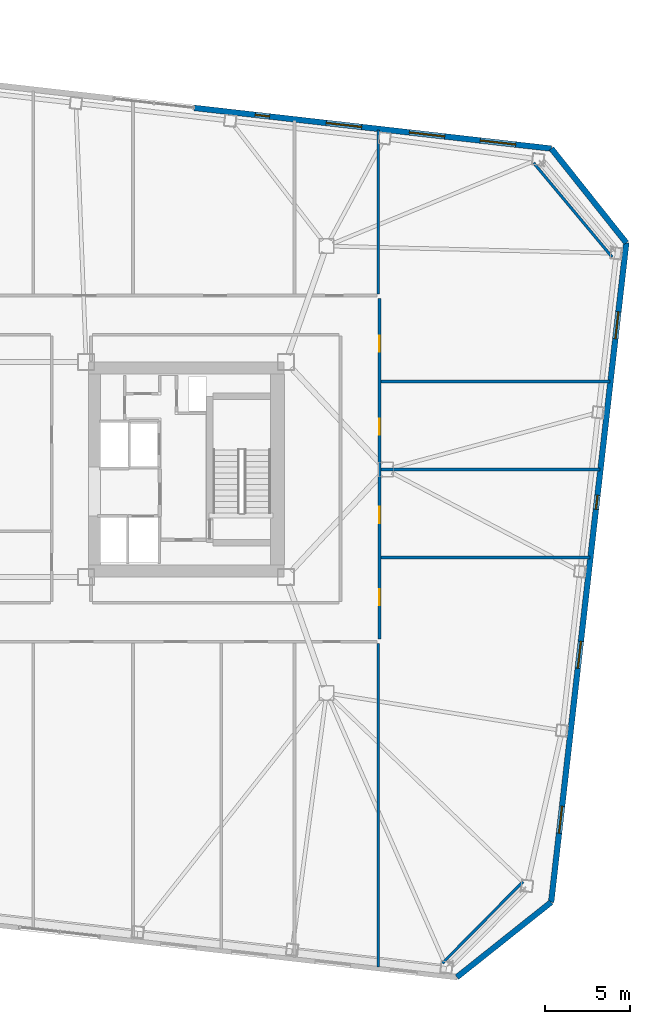
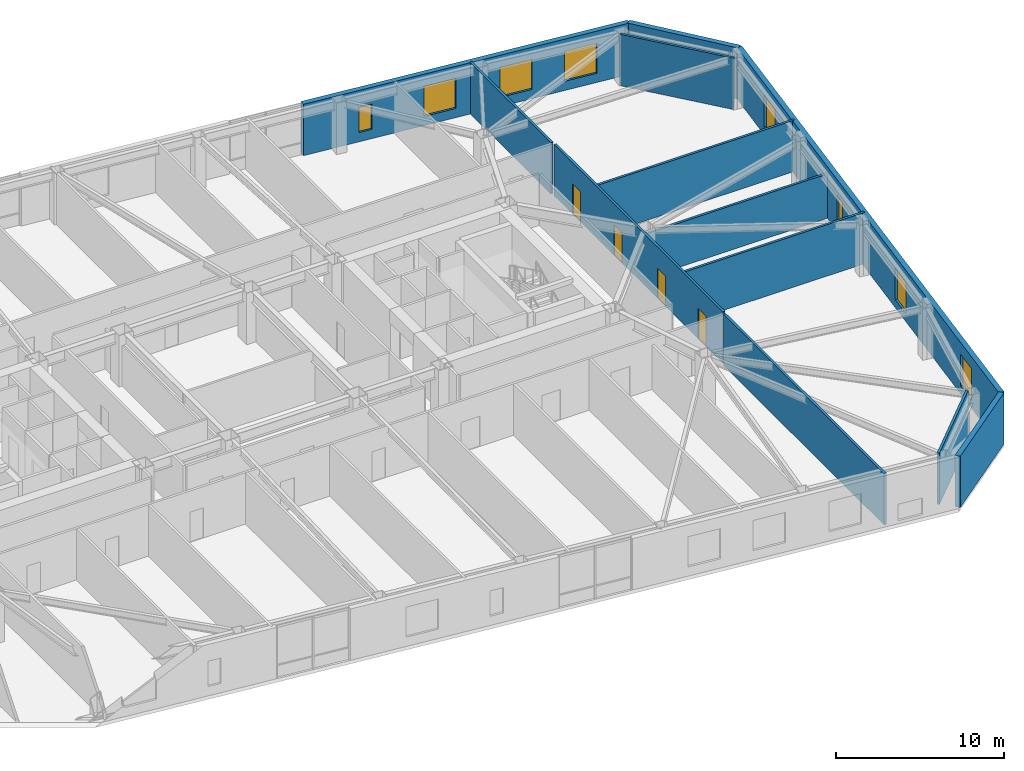
# One storey, part 15 of 21: 12 walls, 8 windows, 4 doors, 12 openings.
"""IFC4 building model written with IfcOpenShell, lengths in metres."""

from ifc_helpers import new_model, si_unit, direction, frame, frame_2d, origin, place, context, subcontext, project, spatial, rectangle, extrude, material, layer, layer_set, type_object, element, fill, save


model = new_model("IFC4")

# Units and contexts
model_context = context("Model", 3, precision=1e-05, world=origin(), true_north=direction((0.0, 1.0)))
body_context = subcontext(model_context, "Body", "Model", "MODEL_VIEW")
ifc_project = project(units=[si_unit("LENGTHUNIT", "METRE"), si_unit("AREAUNIT", "SQUARE_METRE"), si_unit("VOLUMEUNIT", "CUBIC_METRE"), si_unit("PLANEANGLEUNIT", "RADIAN"), si_unit("MASSUNIT", "GRAM", prefix="KILO")], contexts=[model_context])

# Site, building, storey
site_placement = place(None, origin())
site = spatial("IfcSite", under=ifc_project, at=site_placement, CompositionType="ELEMENT")
building_placement = place(site_placement, origin())
building = spatial("IfcBuilding", under=site, at=building_placement, Name="Tavrogorsk Clinical Tower", CompositionType="ELEMENT")
storey_placement = place(building_placement, frame((0.0, 0.0, 137.39990234375)))
storey = spatial("IfcBuildingStorey", under=building, at=storey_placement, Name="L31", CompositionType="ELEMENT", Elevation=137.39990234375)

# Walls
ifc_material_1 = material(Name="Lightweight concrete blockwork B15", Category="masonry")
ifc_layer_1 = layer(ifc_material_1, 0.159912109375)
ifc_layer_set_1 = layer_set([ifc_layer_1], Name="Lightweight concrete blockwork B15")
wall_type_1 = type_object("IfcWallType", Name="PartitionWall_160", PredefinedType="PARTITIONING", material=ifc_layer_set_1)
wall_1_placement = place(storey_placement, frame((31.34130859375, -29.162109375, 0.0), z_axis=(0.0, 0.0, 1.0), x_axis=(0.702905898933, 0.711282853192, 0.0)))
element("IfcWall", 1, at=wall_1_placement, inside=storey, type_object=wall_type_1, Name="L31 Corner Exoskeleton Brace Furring Wall 1", PredefinedType="PARTITIONING", context=body_context, shape_type="SweptSolid", body=[
    extrude(rectangle(XDim=6.761474609375, YDim=0.159912109375, at=frame_2d((3.380859375, 0.0))), origin(), (0.0, 0.0, 1.0), 3.739990234375),
])
wall_2_placement = place(storey_placement, frame((41.36083984375, 12.555908203125, 0.0), z_axis=(0.0, 0.0, 1.0), x_axis=(-0.640217638562, 0.768193579298, 0.0)))
element("IfcWall", 2, at=wall_2_placement, inside=storey, type_object=wall_type_1, Name="L31 Corner Exoskeleton Brace Furring Wall 2", PredefinedType="PARTITIONING", context=body_context, shape_type="SweptSolid", body=[
    extrude(rectangle(XDim=7.224365234375, YDim=0.159912109375, at=frame_2d((3.6123046875, 0.0))), origin(), (0.0, 0.0, 1.0), 3.739990234375),
])

# Wall, openings, doors
wall_3_placement = place(storey_placement, frame((27.6298828125, 10.114990234375, 0.0), z_axis=(0.0, 0.0, 1.0), x_axis=(0.0, -1.0, 0.0)))
wall_3 = element("IfcWall", 3, at=wall_3_placement, inside=storey, type_object=wall_type_1, Name="L31 Corridor Partition 03", PredefinedType="PARTITIONING", context=body_context, shape_type="SweptSolid", body=[
    extrude(rectangle(XDim=20.1298828125, YDim=0.159912109375, at=frame_2d((10.06494140625, 0.0))), origin(), (0.0, 0.0, 1.0), 3.739990234375),
])
opening_1_placement = place(wall_3_placement, frame((17.180908203125, 0.0, 0.0)))
opening_1 = element("IfcOpeningElement", 4, at=opening_1_placement, cuts=wall_3, Name="Opening ID-02", PredefinedType="OPENING", context=body_context, shape_type="SweptSolid", body=[
    extrude(rectangle(XDim=0.949951171875, YDim=2.199951171875, at=frame_2d((0.47509765625, 1.10009765625))), frame((0.0, 0.08984375, 0.0), z_axis=(0.0, -1.0, 0.0), x_axis=(1.0, 0.0, 0.0)), (0.0, 0.0, 1.0), 0.179931640625),
])
opening_2_placement = place(wall_3_placement, frame((12.324951171875, 0.0, 0.0)))
opening_2 = element("IfcOpeningElement", 5, at=opening_2_placement, cuts=wall_3, Name="Opening ID-02", PredefinedType="OPENING", context=body_context, shape_type="SweptSolid", body=[
    extrude(rectangle(XDim=0.949951171875, YDim=2.199951171875, at=frame_2d((0.47509765625, 1.10009765625))), frame((0.0, 0.08984375, 0.0), z_axis=(0.0, -1.0, 0.0), x_axis=(1.0, 0.0, 0.0)), (0.0, 0.0, 1.0), 0.179931640625),
])
opening_3_placement = place(wall_3_placement, frame((7.125, 0.0, 0.0)))
opening_3 = element("IfcOpeningElement", 6, at=opening_3_placement, cuts=wall_3, Name="Opening ID-02", PredefinedType="OPENING", context=body_context, shape_type="SweptSolid", body=[
    extrude(rectangle(XDim=0.949951171875, YDim=2.199951171875, at=frame_2d((0.47509765625, 1.10009765625))), frame((0.0, 0.08984375, 0.0), z_axis=(0.0, -1.0, 0.0), x_axis=(1.0, 0.0, 0.0)), (0.0, 0.0, 1.0), 0.179931640625),
])
opening_4_placement = place(wall_3_placement, frame((2.218994140625, 0.0, 0.0)))
opening_4 = element("IfcOpeningElement", 7, at=opening_4_placement, cuts=wall_3, Name="Opening ID-02", PredefinedType="OPENING", context=body_context, shape_type="SweptSolid", body=[
    extrude(rectangle(XDim=0.949951171875, YDim=2.199951171875, at=frame_2d((0.47509765625, 1.10009765625))), frame((0.0, 0.08984375, 0.0), z_axis=(0.0, -1.0, 0.0), x_axis=(1.0, 0.0, 0.0)), (0.0, 0.0, 1.0), 0.179931640625),
])
ifc_material_2 = material(Name="Laminated timber leaf on aluminium frame", Category="wood")
door_type = type_object("IfcDoorType", Name="InteriorDoor_ID02_950", OperationType="NOTDEFINED", PredefinedType="DOOR", material=ifc_material_2)
door_1_placement = place(opening_1_placement, origin())
door_1 = element("IfcDoor", 8, at=door_1_placement, inside=storey, type_object=door_type, Name="L31 E Senior Clinician Suite 1 Door", OperationType="SINGLE_SWING_RIGHT", OverallHeight=2.199951171875, OverallWidth=0.949951171875, PredefinedType="DOOR", context=body_context, shape_type="SweptSolid", body=[
    extrude(rectangle(XDim=0.949951171875, YDim=2.199951171875, at=frame_2d((0.47509765625, 1.10009765625))), frame((0.0, 0.02490234375, 0.0), z_axis=(0.0, -1.0, 0.0), x_axis=(1.0, 0.0, 0.0)), (0.0, 0.0, 1.0), 0.050048828125),
])
fill(opening_1, door_1)
door_2_placement = place(opening_2_placement, origin())
door_2 = element("IfcDoor", 9, at=door_2_placement, inside=storey, type_object=door_type, Name="L31 E Multidisciplinary Seminar Suite 2 Door", OperationType="SINGLE_SWING_LEFT", OverallHeight=2.199951171875, OverallWidth=0.949951171875, PredefinedType="DOOR", context=body_context, shape_type="SweptSolid", body=[
    extrude(rectangle(XDim=0.949951171875, YDim=2.199951171875, at=frame_2d((0.47509765625, 1.10009765625))), frame((0.0, 0.02490234375, 0.0), z_axis=(0.0, -1.0, 0.0), x_axis=(1.0, 0.0, 0.0)), (0.0, 0.0, 1.0), 0.050048828125),
])
fill(opening_2, door_2)
door_3_placement = place(opening_3_placement, origin())
door_3 = element("IfcDoor", 10, at=door_3_placement, inside=storey, type_object=door_type, Name="L31 E Specialist Consultation Room 3 Door", OperationType="SINGLE_SWING_RIGHT", OverallHeight=2.199951171875, OverallWidth=0.949951171875, PredefinedType="DOOR", context=body_context, shape_type="SweptSolid", body=[
    extrude(rectangle(XDim=0.949951171875, YDim=2.199951171875, at=frame_2d((0.47509765625, 1.10009765625))), frame((0.0, 0.02490234375, 0.0), z_axis=(0.0, -1.0, 0.0), x_axis=(1.0, 0.0, 0.0)), (0.0, 0.0, 1.0), 0.050048828125),
])
fill(opening_3, door_3)
door_4_placement = place(opening_4_placement, origin())
door_4 = element("IfcDoor", 11, at=door_4_placement, inside=storey, type_object=door_type, Name="L31 E Clinical Fellows' Study 4 Door", OperationType="SINGLE_SWING_LEFT", OverallHeight=2.199951171875, OverallWidth=0.949951171875, PredefinedType="DOOR", context=body_context, shape_type="SweptSolid", body=[
    extrude(rectangle(XDim=0.949951171875, YDim=2.199951171875, at=frame_2d((0.47509765625, 1.10009765625))), frame((0.0, 0.02490234375, 0.0), z_axis=(0.0, -1.0, 0.0), x_axis=(1.0, 0.0, 0.0)), (0.0, 0.0, 1.0), 0.050048828125),
])
fill(opening_4, door_4)

# Walls
wall_4_placement = place(storey_placement, frame((27.550048828125, 10.364990234375, 0.0), z_axis=(0.0, 0.0, 1.0), x_axis=(0.0, 1.0, 0.0)))
element("IfcWall", 12, at=wall_4_placement, inside=storey, type_object=wall_type_1, Name="L31 NE Wing Closure Partition", PredefinedType="PARTITIONING", context=body_context, shape_type="SweptSolid", body=[
    extrude(rectangle(XDim=9.6884765625, YDim=0.159912109375, at=frame_2d((4.84423828125, 0.0))), origin(), (0.0, 0.0, 1.0), 3.739990234375),
])
wall_5_placement = place(storey_placement, frame((27.550048828125, -29.384521484375, 0.0), z_axis=(0.0, 0.0, 1.0), x_axis=(0.0, 1.0, 0.0)))
element("IfcWall", 13, at=wall_5_placement, inside=storey, type_object=wall_type_1, Name="L31 SE Wing Closure Partition", PredefinedType="PARTITIONING", context=body_context, shape_type="SweptSolid", body=[
    extrude(rectangle(XDim=19.11962890625, YDim=0.159912109375, at=frame_2d((9.559814453125, 0.0))), origin(), (0.0, 0.0, 1.0), 3.739990234375),
])
wall_6_placement = place(storey_placement, frame((27.715087890625, -5.199951171875, 0.0), z_axis=(0.0, 0.0, 1.0), x_axis=(1.0, 0.0, 0.0)))
element("IfcWall", 14, at=wall_6_placement, inside=storey, type_object=wall_type_1, Name="L31 E Wing Divider 1", PredefinedType="PARTITIONING", context=body_context, shape_type="SweptSolid", body=[
    extrude(rectangle(XDim=12.35205078125, YDim=0.159912109375, at=frame_2d((6.176025390625, 0.0))), origin(), (0.0, 0.0, 1.0), 3.739990234375),
])
wall_7_placement = place(storey_placement, frame((27.715087890625, 0.0, 0.0), z_axis=(0.0, 0.0, 1.0), x_axis=(1.0, 0.0, 0.0)))
element("IfcWall", 15, at=wall_7_placement, inside=storey, type_object=wall_type_1, Name="L31 E Wing Divider 2", PredefinedType="PARTITIONING", context=body_context, shape_type="SweptSolid", body=[
    extrude(rectangle(XDim=12.944580078125, YDim=0.159912109375, at=frame_2d((6.47216796875, 0.0))), origin(), (0.0, 0.0, 1.0), 3.235107421875),
])
wall_8_placement = place(storey_placement, frame((27.715087890625, 5.199951171875, 0.0), z_axis=(0.0, 0.0, 1.0), x_axis=(1.0, 0.0, 0.0)))
element("IfcWall", 16, at=wall_8_placement, inside=storey, type_object=wall_type_1, Name="L31 E Wing Divider 3", PredefinedType="PARTITIONING", context=body_context, shape_type="SweptSolid", body=[
    extrude(rectangle(XDim=13.537109375, YDim=0.159912109375, at=frame_2d((6.7685546875, 0.0))), origin(), (0.0, 0.0, 1.0), 3.739990234375),
])

# Wall, openings, windows
ifc_material_3 = material(Name="Precast concrete B45 with limestone cladding", Category="masonry")
ifc_layer_2 = layer(ifc_material_3, 0.340087890625)
ifc_layer_set_2 = layer_set([ifc_layer_2], Name="Precast concrete B45 with limestone cladding")
wall_type_2 = type_object("IfcWallType", Name="PrecastLimestoneWall_340", PredefinedType="STANDARD", material=ifc_layer_set_2)
wall_9_placement = place(storey_placement, frame((37.77734375, 18.95849609375, 0.0), z_axis=(0.0, 0.0, 1.0), x_axis=(-0.993571362037, 0.113207546299, 0.0)))
wall_9 = element("IfcWall", 17, at=wall_9_placement, inside=storey, type_object=wall_type_2, Name="L31 N Limestone Facade Wall 1", PredefinedType="STANDARD", context=body_context, shape_type="SweptSolid", body=[
    extrude(rectangle(XDim=21.222900390625, YDim=0.340087890625, at=frame_2d((10.611328125, 0.0))), origin(), (0.0, 0.0, 1.0), 3.739990234375),
])
opening_5_placement = place(wall_9_placement, frame((16.75634765625, 0.0, 0.669921875)))
opening_5 = element("IfcOpeningElement", 18, at=opening_5_placement, cuts=wall_9, Name="Opening WN-06", PredefinedType="OPENING", context=body_context, shape_type="SweptSolid", body=[
    extrude(rectangle(XDim=0.85009765625, YDim=1.85009765625, at=frame_2d((0.425048828125, 0.925048828125))), frame((0.0, 0.179931640625, 0.0), z_axis=(0.0, -1.0, 0.0), x_axis=(1.0, 0.0, 0.0)), (0.0, 0.0, 1.0), 0.360107421875),
])
opening_6_placement = place(wall_9_placement, frame((11.284912109375, 0.0, 0.669921875)))
opening_6 = element("IfcOpeningElement", 19, at=opening_6_placement, cuts=wall_9, Name="Opening WN-03", PredefinedType="OPENING", context=body_context, shape_type="SweptSolid", body=[
    extrude(rectangle(XDim=2.10009765625, YDim=2.199951171875, at=frame_2d((1.050048828125, 1.10009765625))), frame((0.0, 0.179931640625, 0.0), z_axis=(0.0, -1.0, 0.0), x_axis=(1.0, 0.0, 0.0)), (0.0, 0.0, 1.0), 0.360107421875),
])
opening_7_placement = place(wall_9_placement, frame((6.335693359375, 0.0, 0.669921875)))
opening_7 = element("IfcOpeningElement", 20, at=opening_7_placement, cuts=wall_9, Name="Opening WN-03", PredefinedType="OPENING", context=body_context, shape_type="SweptSolid", body=[
    extrude(rectangle(XDim=2.10009765625, YDim=2.199951171875, at=frame_2d((1.050048828125, 1.10009765625))), frame((0.0, 0.179931640625, 0.0), z_axis=(0.0, -1.0, 0.0), x_axis=(1.0, 0.0, 0.0)), (0.0, 0.0, 1.0), 0.360107421875),
])
opening_8_placement = place(wall_9_placement, frame((2.125244140625, 0.0, 0.669921875)))
opening_8 = element("IfcOpeningElement", 21, at=opening_8_placement, cuts=wall_9, Name="Opening WN-03", PredefinedType="OPENING", context=body_context, shape_type="SweptSolid", body=[
    extrude(rectangle(XDim=2.10009765625, YDim=2.199951171875, at=frame_2d((1.050048828125, 1.10009765625))), frame((0.0, 0.179931640625, 0.0), z_axis=(0.0, -1.0, 0.0), x_axis=(1.0, 0.0, 0.0)), (0.0, 0.0, 1.0), 0.360107421875),
])
ifc_material_4 = material(Name="Thermally broken aluminium frame and triple IGU", Category="aluminium")
window_type_1 = type_object("IfcWindowType", Name="MullionSubWin_850x1850", PartitioningType="SINGLE_PANEL", PredefinedType="WINDOW", material=ifc_material_4)
window_1_placement = place(opening_5_placement, origin())
window_1 = element("IfcWindow", 22, at=window_1_placement, inside=storey, type_object=window_type_1, Name="L31 N Mullion Split Window 07B", OverallHeight=1.85009765625, OverallWidth=0.85009765625, PartitioningType="SINGLE_PANEL", PredefinedType="WINDOW", context=body_context, shape_type="SweptSolid", body=[
    extrude(rectangle(XDim=0.85009765625, YDim=1.85009765625, at=frame_2d((0.425048828125, 0.925048828125))), frame((0.0, 0.030029296875, 0.0), z_axis=(0.0, -1.0, 0.0), x_axis=(1.0, 0.0, 0.0)), (0.0, 0.0, 1.0), 0.06005859375),
])
fill(opening_5, window_1)
ifc_material_5 = material(Name="Thermally broken aluminium frame and triple IGU", Category="aluminium")
window_type_2 = type_object("IfcWindowType", Name="PatientTwinWin_2100x2200", PartitioningType="DOUBLE_PANEL_VERTICAL", PredefinedType="WINDOW", material=ifc_material_5)
window_2_placement = place(opening_6_placement, origin())
window_2 = element("IfcWindow", 23, at=window_2_placement, inside=storey, type_object=window_type_2, Name="L31 N Chicago Window 08", OverallHeight=2.199951171875, OverallWidth=2.10009765625, PartitioningType="SINGLE_PANEL", PredefinedType="WINDOW", context=body_context, shape_type="SweptSolid", body=[
    extrude(rectangle(XDim=2.10009765625, YDim=2.199951171875, at=frame_2d((1.050048828125, 1.10009765625))), frame((0.0, 0.030029296875, 0.0), z_axis=(0.0, -1.0, 0.0), x_axis=(1.0, 0.0, 0.0)), (0.0, 0.0, 1.0), 0.06005859375),
])
fill(opening_6, window_2)
window_3_placement = place(opening_7_placement, origin())
window_3 = element("IfcWindow", 24, at=window_3_placement, inside=storey, type_object=window_type_2, Name="L31 N Chicago Window 09", OverallHeight=2.199951171875, OverallWidth=2.10009765625, PartitioningType="SINGLE_PANEL", PredefinedType="WINDOW", context=body_context, shape_type="SweptSolid", body=[
    extrude(rectangle(XDim=2.10009765625, YDim=2.199951171875, at=frame_2d((1.050048828125, 1.10009765625))), frame((0.0, 0.030029296875, 0.0), z_axis=(0.0, -1.0, 0.0), x_axis=(1.0, 0.0, 0.0)), (0.0, 0.0, 1.0), 0.06005859375),
])
fill(opening_7, window_3)
window_4_placement = place(opening_8_placement, origin())
window_4 = element("IfcWindow", 25, at=window_4_placement, inside=storey, type_object=window_type_2, Name="L31 N Chicago Window 10", OverallHeight=2.199951171875, OverallWidth=2.10009765625, PartitioningType="SINGLE_PANEL", PredefinedType="WINDOW", context=body_context, shape_type="SweptSolid", body=[
    extrude(rectangle(XDim=2.10009765625, YDim=2.199951171875, at=frame_2d((1.050048828125, 1.10009765625))), frame((0.0, 0.030029296875, 0.0), z_axis=(0.0, -1.0, 0.0), x_axis=(1.0, 0.0, 0.0)), (0.0, 0.0, 1.0), 0.06005859375),
])
fill(opening_8, window_4)

wall_10_placement = place(storey_placement, frame((37.76806640625, -25.556396484375, 0.0), z_axis=(0.0, 0.0, 1.0), x_axis=(0.113201605824, 0.993572038877, 0.0)))
wall_10 = element("IfcWall", 26, at=wall_10_placement, inside=storey, type_object=wall_type_2, Name="L31 E Pleated Limestone Wing Wall", PredefinedType="STANDARD", context=body_context, shape_type="SweptSolid", body=[
    extrude(rectangle(XDim=39.199951171875, YDim=0.340087890625, at=frame_2d((19.60009765625, 0.0))), origin(), (0.0, 0.0, 1.0), 3.739990234375),
])
opening_9_placement = place(wall_10_placement, frame((4.10009765625, 0.0, 0.580078125)))
opening_9 = element("IfcOpeningElement", 27, at=opening_9_placement, cuts=wall_10, Name="Opening WN-07", PredefinedType="OPENING", context=body_context, shape_type="SweptSolid", body=[
    extrude(rectangle(XDim=1.60009765625, YDim=2.300048828125, at=frame_2d((0.800048828125, 1.14990234375))), frame((0.0, 0.179931640625, 0.0), z_axis=(0.0, -1.0, 0.0), x_axis=(1.0, 0.0, 0.0)), (0.0, 0.0, 1.0), 0.360107421875),
])
opening_10_placement = place(wall_10_placement, frame((13.89990234375, 0.0, 0.580078125)))
opening_10 = element("IfcOpeningElement", 28, at=opening_10_placement, cuts=wall_10, Name="Opening WN-07", PredefinedType="OPENING", context=body_context, shape_type="SweptSolid", body=[
    extrude(rectangle(XDim=1.60009765625, YDim=2.300048828125, at=frame_2d((0.800048828125, 1.14990234375))), frame((0.0, 0.179931640625, 0.0), z_axis=(0.0, -1.0, 0.0), x_axis=(1.0, 0.0, 0.0)), (0.0, 0.0, 1.0), 0.360107421875),
])
opening_11_placement = place(wall_10_placement, frame((23.35009765625, 0.0, 0.75)))
opening_11 = element("IfcOpeningElement", 29, at=opening_11_placement, cuts=wall_10, Name="Opening WN-06", PredefinedType="OPENING", context=body_context, shape_type="SweptSolid", body=[
    extrude(rectangle(XDim=0.85009765625, YDim=1.85009765625, at=frame_2d((0.425048828125, 0.925048828125))), frame((0.0, 0.179931640625, 0.0), z_axis=(0.0, -1.0, 0.0), x_axis=(1.0, 0.0, 0.0)), (0.0, 0.0, 1.0), 0.360107421875),
])
opening_12_placement = place(wall_10_placement, frame((33.5, 0.0, 0.580078125)))
opening_12 = element("IfcOpeningElement", 30, at=opening_12_placement, cuts=wall_10, Name="Opening WN-07", PredefinedType="OPENING", context=body_context, shape_type="SweptSolid", body=[
    extrude(rectangle(XDim=1.60009765625, YDim=2.300048828125, at=frame_2d((0.800048828125, 1.14990234375))), frame((0.0, 0.179931640625, 0.0), z_axis=(0.0, -1.0, 0.0), x_axis=(1.0, 0.0, 0.0)), (0.0, 0.0, 1.0), 0.360107421875),
])
window_5_placement = place(opening_11_placement, origin())
window_5 = element("IfcWindow", 31, at=window_5_placement, inside=storey, type_object=window_type_1, Name="L31 E Pleat Mullion Window 3A", OverallHeight=1.85009765625, OverallWidth=0.85009765625, PartitioningType="SINGLE_PANEL", PredefinedType="WINDOW", context=body_context, shape_type="SweptSolid", body=[
    extrude(rectangle(XDim=0.85009765625, YDim=1.85009765625, at=frame_2d((0.425048828125, 0.925048828125))), frame((0.0, 0.030029296875, 0.0), z_axis=(0.0, -1.0, 0.0), x_axis=(1.0, 0.0, 0.0)), (0.0, 0.0, 1.0), 0.06005859375),
])
fill(opening_11, window_5)
ifc_material_6 = material(Name="Thermally broken aluminium frame and triple IGU", Category="aluminium")
window_type_3 = type_object("IfcWindowType", Name="PleatSlotWin_1600x2300", PartitioningType="SINGLE_PANEL", PredefinedType="WINDOW", material=ifc_material_6)
window_6_placement = place(opening_9_placement, origin())
window_6 = element("IfcWindow", 32, at=window_6_placement, inside=storey, type_object=window_type_3, Name="L31 E Pleat Slot Window 1", OverallHeight=2.300048828125, OverallWidth=1.60009765625, PartitioningType="SINGLE_PANEL", PredefinedType="WINDOW", context=body_context, shape_type="SweptSolid", body=[
    extrude(rectangle(XDim=1.60009765625, YDim=2.300048828125, at=frame_2d((0.800048828125, 1.14990234375))), frame((0.0, 0.030029296875, 0.0), z_axis=(0.0, -1.0, 0.0), x_axis=(1.0, 0.0, 0.0)), (0.0, 0.0, 1.0), 0.06005859375),
])
fill(opening_9, window_6)
window_7_placement = place(opening_10_placement, origin())
window_7 = element("IfcWindow", 33, at=window_7_placement, inside=storey, type_object=window_type_3, Name="L31 E Pleat Slot Window 2", OverallHeight=2.300048828125, OverallWidth=1.60009765625, PartitioningType="SINGLE_PANEL", PredefinedType="WINDOW", context=body_context, shape_type="SweptSolid", body=[
    extrude(rectangle(XDim=1.60009765625, YDim=2.300048828125, at=frame_2d((0.800048828125, 1.14990234375))), frame((0.0, 0.030029296875, 0.0), z_axis=(0.0, -1.0, 0.0), x_axis=(1.0, 0.0, 0.0)), (0.0, 0.0, 1.0), 0.06005859375),
])
fill(opening_10, window_7)
window_8_placement = place(opening_12_placement, origin())
window_8 = element("IfcWindow", 34, at=window_8_placement, inside=storey, type_object=window_type_3, Name="L31 E Pleat Slot Window 4", OverallHeight=2.300048828125, OverallWidth=1.60009765625, PartitioningType="SINGLE_PANEL", PredefinedType="WINDOW", context=body_context, shape_type="SweptSolid", body=[
    extrude(rectangle(XDim=1.60009765625, YDim=2.300048828125, at=frame_2d((0.800048828125, 1.14990234375))), frame((0.0, 0.030029296875, 0.0), z_axis=(0.0, -1.0, 0.0), x_axis=(1.0, 0.0, 0.0)), (0.0, 0.0, 1.0), 0.06005859375),
])
fill(opening_12, window_8)

# Walls
wall_11_placement = place(storey_placement, frame((32.200927734375, -29.984619140625, 0.0), z_axis=(0.0, 0.0, 1.0), x_axis=(0.78261359446, 0.622507800567, 0.0)))
element("IfcWall", 35, at=wall_11_placement, inside=storey, type_object=wall_type_2, Name="L31 Chamfered Corner Wall 1", PredefinedType="STANDARD", context=body_context, shape_type="SweptSolid", body=[
    extrude(rectangle(XDim=7.113525390625, YDim=0.340087890625, at=frame_2d((3.556640625, 0.0))), origin(), (0.0, 0.0, 1.0), 3.739990234375),
])
wall_12_placement = place(storey_placement, frame((42.20556640625, 13.3916015625, 0.0), z_axis=(0.0, 0.0, 1.0), x_axis=(-0.622524521309, 0.782600294128, 0.0)))
element("IfcWall", 36, at=wall_12_placement, inside=storey, type_object=wall_type_2, Name="L31 Chamfered Corner Wall 2", PredefinedType="STANDARD", context=body_context, shape_type="SweptSolid", body=[
    extrude(rectangle(XDim=7.11328125, YDim=0.340087890625, at=frame_2d((3.556640625, 0.0))), origin(), (0.0, 0.0, 1.0), 3.739990234375),
])

save(model, "model.ifc")
